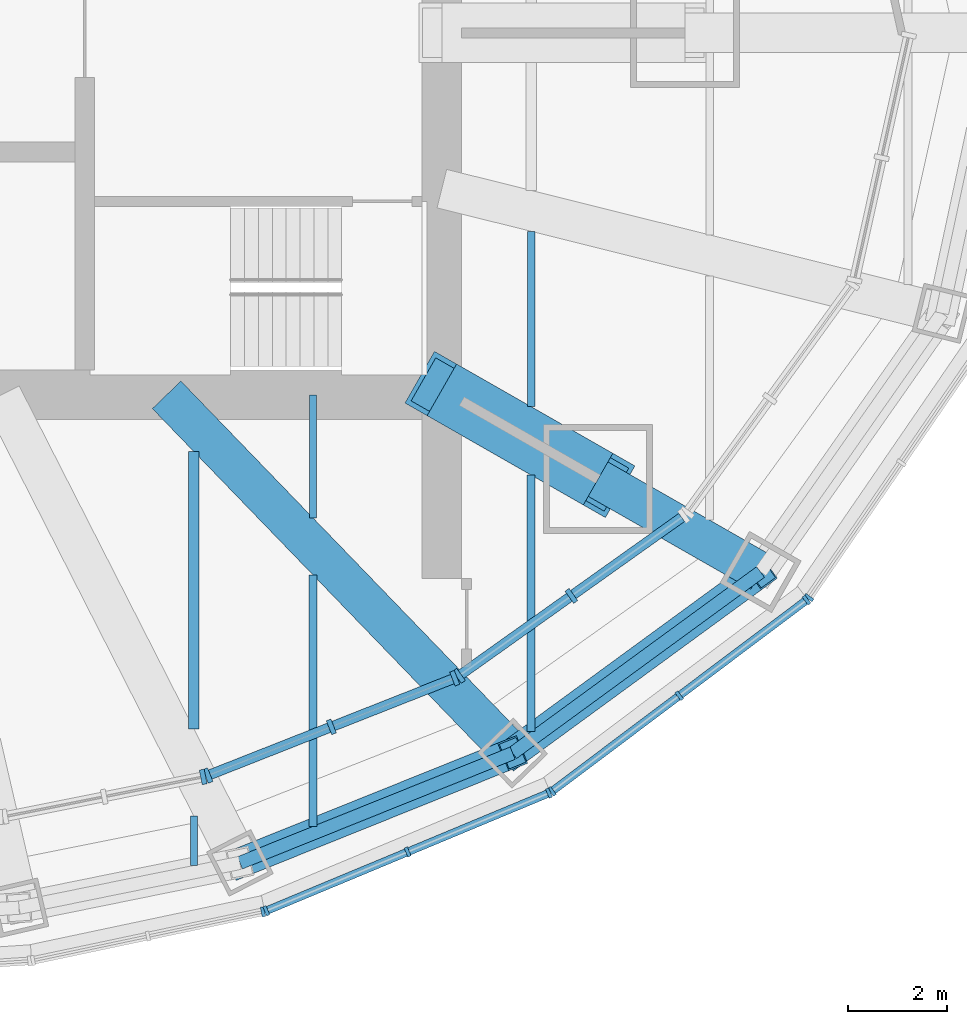
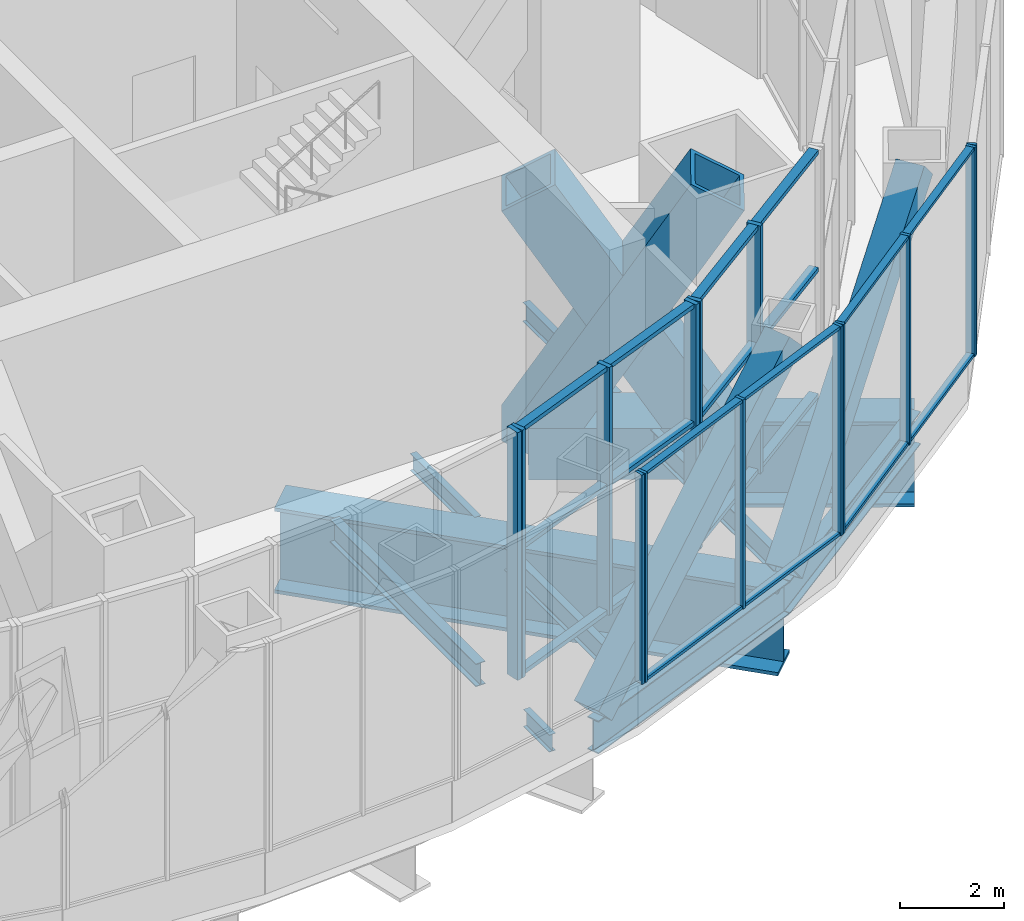
# One storey, part 7 of 21: 38 members, 11 beams, 7 elements without a shape of their own.
"""IFC4 building model written with IfcOpenShell, lengths in metres."""

from ifc_helpers import new_model, si_unit, direction, frame, origin, origin_2d, place, context, subcontext, project, spatial, rectangle, hollow_rectangle, i_section, extrude, material, material_profile, profile_set, type_object, element, aggregate, save


model = new_model("IFC4")

# Units and contexts
model_context = context("Model", 3, precision=1e-05, world=origin(), true_north=direction((0.0, 1.0)))
body_context = subcontext(model_context, "Body", "Model", "MODEL_VIEW")
ifc_project = project(units=[si_unit("LENGTHUNIT", "METRE"), si_unit("AREAUNIT", "SQUARE_METRE"), si_unit("VOLUMEUNIT", "CUBIC_METRE"), si_unit("PLANEANGLEUNIT", "RADIAN"), si_unit("MASSUNIT", "GRAM", prefix="KILO")], contexts=[model_context])

# Site, building, storey
site_placement = place(None, origin())
site = spatial("IfcSite", under=ifc_project, at=site_placement, CompositionType="ELEMENT")
building_placement = place(site_placement, origin())
building = spatial("IfcBuilding", under=site, at=building_placement, Name="Lantaw Convention Tower", CompositionType="ELEMENT")
storey_placement = place(building_placement, frame((0.0, 0.0, 284.39990234375)))
storey = spatial("IfcBuildingStorey", under=building, at=storey_placement, Name="L66", CompositionType="ELEMENT", Elevation=284.39990234375)

# Beams
ifc_material_1 = material(Name="Steel ASTM A992", Category="steel")
ifc_material_profile_1 = material_profile(ifc_material_1, i_section(OverallWidth=0.2666015625, OverallDepth=0.76953125, WebThickness=0.015625, FlangeThickness=0.025390625, FilletRadius=0.0126953125, at=origin_2d()), Name="W30X132")
ifc_profile_set_1 = profile_set([ifc_material_profile_1], Name="Steel ASTM A992")
beam_type_1 = type_object("IfcBeamType", Name="Beam E W30X132", PredefinedType="SPANDREL", material=ifc_profile_set_1)
beam_1_placement = place(storey_placement, frame((8.5283203125, -16.73779296875, -0.584716796875), z_axis=(0.927779110974, 0.373129898615, 0.0), x_axis=(-0.373129898615, 0.927779110974, 0.0)))
element("IfcBeam", 1, at=beam_1_placement, inside=storey, type_object=beam_type_1, Name="Edge beam 21", PredefinedType="SPANDREL", context=body_context, shape_type="SweptSolid", body=[
    extrude(i_section(OverallWidth=0.2666015625, OverallDepth=0.76953125, WebThickness=0.015625, FlangeThickness=0.025390625, FilletRadius=0.0126953125, at=origin_2d()), origin(), (0.0, 0.0, 1.0), 5.92724609375),
])
beam_2_placement = place(storey_placement, frame((14.027587890625, -14.526123046875, -0.584716796875), z_axis=(0.807371616826, 0.59004328006, 0.0), x_axis=(-0.59004328006, 0.807371616826, 0.0)))
element("IfcBeam", 2, at=beam_2_placement, inside=storey, type_object=beam_type_1, Name="Edge beam 22", PredefinedType="SPANDREL", context=body_context, shape_type="SweptSolid", body=[
    extrude(i_section(OverallWidth=0.2666015625, OverallDepth=0.76953125, WebThickness=0.015625, FlangeThickness=0.025390625, FilletRadius=0.0126953125, at=origin_2d()), origin(), (0.0, 0.0, 1.0), 6.192138671875),
])
ifc_material_2 = material(Name="Steel ASTM A572 Grade 50", Category="steel")
ifc_material_profile_2 = material_profile(ifc_material_2, i_section(OverallWidth=0.800048828125, OverallDepth=2.0, WebThickness=0.030029296875, FlangeThickness=0.080078125, at=origin_2d()), Name="PG2000X800X30X80")
ifc_profile_set_2 = profile_set([ifc_material_profile_2], Name="Steel ASTM A572 Grade 50")
beam_type_2 = type_object("IfcBeamType", Name="Beam HG PG2000X800X30X80", PredefinedType="BEAM", material=ifc_profile_set_2)
beam_3_placement = place(storey_placement, frame((7.049560546875, -7.300048828125, -1.199951171875), z_axis=(0.694652631285, -0.71934534255, 0.0), x_axis=(0.71934534255, 0.694652631285, 0.0)))
element("IfcBeam", 3, at=beam_3_placement, inside=storey, type_object=beam_type_2, Name="Floor girder on ray 22", PredefinedType="BEAM", context=body_context, shape_type="SweptSolid", body=[
    extrude(i_section(OverallWidth=0.800048828125, OverallDepth=2.0, WebThickness=0.030029296875, FlangeThickness=0.080078125, at=origin_2d()), origin(), (0.0, 0.0, 1.0), 10.04541015625),
])
beam_4_placement = place(storey_placement, frame((15.75, -9.0, -1.199951171875), z_axis=(0.868235180478, -0.496152870978, 0.0), x_axis=(0.496152870978, 0.868235180478, 0.0)))
element("IfcBeam", 4, at=beam_4_placement, inside=storey, type_object=beam_type_2, Name="Floor girder on ray 23", PredefinedType="BEAM", context=body_context, shape_type="SweptSolid", body=[
    extrude(i_section(OverallWidth=0.800048828125, OverallDepth=2.0, WebThickness=0.030029296875, FlangeThickness=0.080078125, at=origin_2d()), origin(), (0.0, 0.0, 1.0), 3.774169921875),
])
ifc_material_profile_3 = material_profile(ifc_material_1, i_section(OverallWidth=0.140380859375, OverallDepth=0.40380859375, WebThickness=0.007080078125, FlangeThickness=0.01123046875, FilletRadius=0.01025390625, at=origin_2d()), Name="W16X31")
ifc_profile_set_3 = profile_set([ifc_material_profile_3], Name="Steel ASTM A992")
beam_type_3 = type_object("IfcBeamType", Name="Beam J W16X31", PredefinedType="JOIST", material=ifc_profile_set_3)
beam_5_placement = place(storey_placement, frame((7.60009765625, -16.790283203125, -0.40185546875), z_axis=(0.0, 1.0, 0.0), x_axis=(-1.0, 0.0, 0.0)))
element("IfcBeam", 5, at=beam_5_placement, inside=storey, type_object=beam_type_3, Name="Floor joist", PredefinedType="JOIST", context=body_context, shape_type="SweptSolid", body=[
    extrude(i_section(OverallWidth=0.140380859375, OverallDepth=0.40380859375, WebThickness=0.007080078125, FlangeThickness=0.01123046875, FilletRadius=0.01025390625, at=origin_2d()), origin(), (0.0, 0.0, 1.0), 0.993408203125),
])
beam_6_placement = place(storey_placement, frame((10.0, -9.779541015625, -0.40185546875), z_axis=(0.0, 1.0, 0.0), x_axis=(-1.0, 0.0, 0.0)))
element("IfcBeam", 6, at=beam_6_placement, inside=storey, type_object=beam_type_3, Name="Floor joist", PredefinedType="JOIST", context=body_context, shape_type="SweptSolid", body=[
    extrude(i_section(OverallWidth=0.140380859375, OverallDepth=0.40380859375, WebThickness=0.007080078125, FlangeThickness=0.01123046875, FilletRadius=0.01025390625, at=origin_2d()), origin(), (0.0, 0.0, 1.0), 2.4794921875),
])
ifc_material_profile_4 = material_profile(ifc_material_1, i_section(OverallWidth=0.15234375, OverallDepth=0.449462890625, WebThickness=0.007568359375, FlangeThickness=0.0107421875, FilletRadius=0.01025390625, at=origin_2d()), Name="W18X35")
ifc_profile_set_4 = profile_set([ifc_material_profile_4], Name="Steel ASTM A992")
beam_type_4 = type_object("IfcBeamType", Name="Beam J W18X35", PredefinedType="JOIST", material=ifc_profile_set_4)
beam_7_placement = place(storey_placement, frame((14.39990234375, -7.53759765625, -0.4248046875), z_axis=(0.0, 1.0, 0.0), x_axis=(-1.0, 0.0, 0.0)))
element("IfcBeam", 7, at=beam_7_placement, inside=storey, type_object=beam_type_4, Name="Floor joist", PredefinedType="JOIST", context=body_context, shape_type="SweptSolid", body=[
    extrude(i_section(OverallWidth=0.15234375, OverallDepth=0.449462890625, WebThickness=0.007568359375, FlangeThickness=0.0107421875, FilletRadius=0.01025390625, at=origin_2d()), origin(), (0.0, 0.0, 1.0), 3.534912109375),
])
ifc_material_profile_5 = material_profile(ifc_material_1, i_section(OverallWidth=0.1650390625, OverallDepth=0.52587890625, WebThickness=0.0087890625, FlangeThickness=0.011474609375, FilletRadius=0.0126953125, at=origin_2d()), Name="W21X44")
ifc_profile_set_5 = profile_set([ifc_material_profile_5], Name="Steel ASTM A992")
beam_type_5 = type_object("IfcBeamType", Name="Beam J W21X44", PredefinedType="JOIST", material=ifc_profile_set_5)
beam_8_placement = place(storey_placement, frame((10.0, -16.002197265625, -0.462890625), z_axis=(0.0, 1.0, 0.0), x_axis=(-1.0, 0.0, 0.0)))
element("IfcBeam", 8, at=beam_8_placement, inside=storey, type_object=beam_type_5, Name="Floor joist", PredefinedType="JOIST", context=body_context, shape_type="SweptSolid", body=[
    extrude(i_section(OverallWidth=0.1650390625, OverallDepth=0.52587890625, WebThickness=0.0087890625, FlangeThickness=0.011474609375, FilletRadius=0.0126953125, at=origin_2d()), origin(), (0.0, 0.0, 1.0), 5.071044921875),
])
ifc_material_profile_6 = material_profile(ifc_material_1, i_section(OverallWidth=0.165771484375, OverallDepth=0.5283203125, WebThickness=0.009765625, FlangeThickness=0.013671875, FilletRadius=0.012939453125, at=origin_2d()), Name="W21X50")
ifc_profile_set_6 = profile_set([ifc_material_profile_6], Name="Steel ASTM A992")
beam_type_6 = type_object("IfcBeamType", Name="Beam J W21X50", PredefinedType="JOIST", material=ifc_profile_set_6)
beam_9_placement = place(storey_placement, frame((14.39990234375, -14.0888671875, -0.464111328125), z_axis=(0.0, 1.0, 0.0), x_axis=(-1.0, 0.0, 0.0)))
element("IfcBeam", 9, at=beam_9_placement, inside=storey, type_object=beam_type_6, Name="Floor joist", PredefinedType="JOIST", context=body_context, shape_type="SweptSolid", body=[
    extrude(i_section(OverallWidth=0.165771484375, OverallDepth=0.5283203125, WebThickness=0.009765625, FlangeThickness=0.013671875, FilletRadius=0.012939453125, at=origin_2d()), origin(), (0.0, 0.0, 1.0), 5.169189453125),
])
ifc_material_profile_7 = material_profile(ifc_material_1, i_section(OverallWidth=0.209228515625, OverallDepth=0.533447265625, WebThickness=0.01025390625, FlangeThickness=0.015625, FilletRadius=0.012939453125, at=origin_2d()), Name="W21X62")
ifc_profile_set_7 = profile_set([ifc_material_profile_7], Name="Steel ASTM A992")
beam_type_7 = type_object("IfcBeamType", Name="Beam J W21X62", PredefinedType="JOIST", material=ifc_profile_set_7)
beam_10_placement = place(storey_placement, frame((7.60009765625, -14.03466796875, -0.466552734375), z_axis=(0.0, 1.0, 0.0), x_axis=(-1.0, 0.0, 0.0)))
element("IfcBeam", 10, at=beam_10_placement, inside=storey, type_object=beam_type_7, Name="Floor joist", PredefinedType="JOIST", context=body_context, shape_type="SweptSolid", body=[
    extrude(i_section(OverallWidth=0.209228515625, OverallDepth=0.533447265625, WebThickness=0.01025390625, FlangeThickness=0.015625, FilletRadius=0.012939453125, at=origin_2d()), origin(), (0.0, 0.0, 1.0), 5.5888671875),
])
ifc_material_3 = material(Name="Steel EN 10025-3 S460N", Category="steel")
ifc_material_profile_8 = material_profile(ifc_material_3, hollow_rectangle(XDim=1.199951171875, YDim=1.199951171875, WallThickness=0.10009765625, at=origin_2d()), Name="BOX1200X100")
ifc_profile_set_8 = profile_set([ifc_material_profile_8], Name="Steel EN 10025-3 S460N")
beam_type_8 = type_object("IfcBeamType", Name="Beam OC BOX1200X100", PredefinedType="BEAM", material=ifc_profile_set_8)
beam_11_placement = place(storey_placement, frame((12.60009765625, -7.199951171875, -0.7998046875), z_axis=(0.868230718294, -0.496160679428, 0.0), x_axis=(0.496160679428, 0.868230718294, 0.0)))
element("IfcBeam", 11, at=beam_11_placement, inside=storey, type_object=beam_type_8, Name="Outrigger chord on ray 23", PredefinedType="BEAM", context=body_context, shape_type="SweptSolid", body=[
    extrude(hollow_rectangle(XDim=1.199951171875, YDim=1.199951171875, WallThickness=0.10009765625, at=origin_2d()), origin(), (0.0, 0.0, 1.0), 3.6279296875),
])

# Curtain wall, members
ifc_material_4 = material(Name="Aluminium framed curtain wall", Category="aluminium")
curtain_wall_type_1 = type_object("IfcCurtainWallType", Name="Lantern corner louvre curtain wall, pale aluminium", PredefinedType="USERDEFINED", material=ifc_material_4)
curtain_wall_1_placement = place(storey_placement, origin())
curtain_wall_1 = element("IfcCurtainWall", 12, at=curtain_wall_1_placement, inside=storey, type_object=curtain_wall_type_1, Name="Lantern corner louvre curtain wall, pale aluminium L66", ObjectType="LOUVRE WALL", PredefinedType="USERDEFINED")
ifc_material_5 = material(Name="Aluminium 6063-T6", Category="aluminium")
ifc_material_profile_9 = material_profile(ifc_material_5, rectangle(XDim=0.300048828125, YDim=0.10009765625, at=origin_2d()), Name="CW-LC mullion 100x300")
ifc_profile_set_9 = profile_set([ifc_material_profile_9], Name="Aluminium 6063-T6")
member_type_1 = type_object("IfcMemberType", Name="CW-LC mullion 100x300", PredefinedType="MULLION", material=ifc_profile_set_9)
member_1_placement = place(storey_placement, frame((12.946533203125, -12.966552734375, 0.0), z_axis=(0.0, 0.0, 1.0), x_axis=(-0.579683901346, 0.814841441337, 0.0)))
member_1 = element("IfcMember", 13, at=member_1_placement, type_object=member_type_1, Name="CW-LC mullion 1", PredefinedType="MULLION", context=body_context, shape_type="SweptSolid", body=[
    extrude(rectangle(XDim=0.300048828125, YDim=0.10009765625, at=origin_2d()), origin(), (0.0, 0.0, 1.0), 5.800048828125),
])
member_2_placement = place(storey_placement, frame((15.212158203125, -11.354736328125, 0.0), z_axis=(0.0, 0.0, 1.0), x_axis=(-0.579683901346, 0.814841441337, 0.0)))
member_2 = element("IfcMember", 14, at=member_2_placement, type_object=member_type_1, Name="CW-LC mullion 2", PredefinedType="MULLION", context=body_context, shape_type="SweptSolid", body=[
    extrude(rectangle(XDim=0.300048828125, YDim=0.10009765625, at=origin_2d()), origin(), (0.0, 0.0, 1.0), 5.800048828125),
])
ifc_material_profile_10 = material_profile(ifc_material_5, rectangle(XDim=0.199951171875, YDim=0.10009765625, at=origin_2d()), Name="CW-LC transom 100x200")
ifc_profile_set_10 = profile_set([ifc_material_profile_10], Name="Aluminium 6063-T6")
member_type_2 = type_object("IfcMemberType", Name="CW-LC transom 100x200", PredefinedType="USERDEFINED", material=ifc_profile_set_10)
member_3_placement = place(storey_placement, frame((12.9873046875, -12.9375, 0.050048828125), z_axis=(0.814852067311, 0.579668964495, 0.0), x_axis=(-0.579668964495, 0.814852067311, 0.0)))
member_3 = element("IfcMember", 15, at=member_3_placement, type_object=member_type_2, Name="CW-LC transom 1.1", ObjectType="TRANSOM", PredefinedType="USERDEFINED", context=body_context, shape_type="SweptSolid", body=[
    extrude(rectangle(XDim=0.199951171875, YDim=0.10009765625, at=origin_2d()), origin(), (0.0, 0.0, 1.0), 2.680419921875),
])
member_4_placement = place(storey_placement, frame((12.9873046875, -12.9375, 3.0), z_axis=(0.814852067311, 0.579668964495, 0.0), x_axis=(-0.579668964495, 0.814852067311, 0.0)))
member_4 = element("IfcMember", 16, at=member_4_placement, type_object=member_type_2, Name="CW-LC transom 1.2", ObjectType="TRANSOM", PredefinedType="USERDEFINED", context=body_context, shape_type="SweptSolid", body=[
    extrude(rectangle(XDim=0.199951171875, YDim=0.10009765625, at=origin_2d()), origin(), (0.0, 0.0, 1.0), 2.680419921875),
])
member_5_placement = place(storey_placement, frame((12.9873046875, -12.9375, 5.75), z_axis=(0.814852067311, 0.579668964495, 0.0), x_axis=(-0.579668964495, 0.814852067311, 0.0)))
member_5 = element("IfcMember", 17, at=member_5_placement, type_object=member_type_2, Name="CW-LC transom 1.3", ObjectType="TRANSOM", PredefinedType="USERDEFINED", context=body_context, shape_type="SweptSolid", body=[
    extrude(rectangle(XDim=0.199951171875, YDim=0.10009765625, at=origin_2d()), origin(), (0.0, 0.0, 1.0), 2.680419921875),
])
member_6_placement = place(storey_placement, frame((15.2529296875, -11.325927734375, 0.050048828125), z_axis=(0.814809043546, 0.579729439098, 0.0), x_axis=(-0.579729439098, 0.814809043546, 0.0)))
member_6 = element("IfcMember", 18, at=member_6_placement, type_object=member_type_2, Name="CW-LC transom 2.1", ObjectType="TRANSOM", PredefinedType="USERDEFINED", context=body_context, shape_type="SweptSolid", body=[
    extrude(rectangle(XDim=0.199951171875, YDim=0.10009765625, at=origin_2d()), origin(), (0.0, 0.0, 1.0), 2.680419921875),
])
member_7_placement = place(storey_placement, frame((15.2529296875, -11.325927734375, 3.0), z_axis=(0.814809043546, 0.579729439098, 0.0), x_axis=(-0.579729439098, 0.814809043546, 0.0)))
member_7 = element("IfcMember", 19, at=member_7_placement, type_object=member_type_2, Name="CW-LC transom 2.2", ObjectType="TRANSOM", PredefinedType="USERDEFINED", context=body_context, shape_type="SweptSolid", body=[
    extrude(rectangle(XDim=0.199951171875, YDim=0.10009765625, at=origin_2d()), origin(), (0.0, 0.0, 1.0), 2.680419921875),
])
member_8_placement = place(storey_placement, frame((15.2529296875, -11.325927734375, 5.75), z_axis=(0.814809043546, 0.579729439098, 0.0), x_axis=(-0.579729439098, 0.814809043546, 0.0)))
member_8 = element("IfcMember", 20, at=member_8_placement, type_object=member_type_2, Name="CW-LC transom 2.3", ObjectType="TRANSOM", PredefinedType="USERDEFINED", context=body_context, shape_type="SweptSolid", body=[
    extrude(rectangle(XDim=0.199951171875, YDim=0.10009765625, at=origin_2d()), origin(), (0.0, 0.0, 1.0), 2.680419921875),
])
aggregate(curtain_wall_1, [member_1, member_2, member_3, member_4, member_5, member_6, member_7, member_8])

# Curtain wall, member
curtain_wall_type_2 = type_object("IfcCurtainWallType", Name="LANTERN glazing curtain wall, pale aluminium", PredefinedType="USERDEFINED", material=ifc_material_4)
curtain_wall_2_placement = place(storey_placement, origin())
curtain_wall_2 = element("IfcCurtainWall", 21, at=curtain_wall_2_placement, inside=storey, type_object=curtain_wall_type_2, Name="LANTERN glazing curtain wall, pale aluminium L66", ObjectType="LANTERN GLAZING", PredefinedType="USERDEFINED")
ifc_material_profile_11 = material_profile(ifc_material_5, rectangle(XDim=0.300048828125, YDim=0.10009765625, at=origin_2d()), Name="CW-LN mullion 100x300")
ifc_profile_set_11 = profile_set([ifc_material_profile_11], Name="Aluminium 6063-T6")
member_type_3 = type_object("IfcMemberType", Name="CW-LN mullion 100x300", PredefinedType="MULLION", material=ifc_profile_set_11)
member_9_placement = place(storey_placement, frame((7.787353515625, -15.004150390625, 0.0), z_axis=(0.0, 0.0, 1.0), x_axis=(-0.196367228305, 0.980530423622, 0.0)))
member_9 = element("IfcMember", 22, at=member_9_placement, type_object=member_type_3, Name="CW-LN mullion 3", PredefinedType="MULLION", context=body_context, shape_type="SweptSolid", body=[
    extrude(rectangle(XDim=0.300048828125, YDim=0.10009765625, at=origin_2d()), origin(), (0.0, 0.0, 1.0), 5.800048828125),
])
aggregate(curtain_wall_2, [member_9])

# Curtain wall, members
curtain_wall_3_placement = place(storey_placement, origin())
curtain_wall_3 = element("IfcCurtainWall", 23, at=curtain_wall_3_placement, inside=storey, type_object=curtain_wall_type_2, Name="LANTERN glazing curtain wall, pale aluminium L66", ObjectType="LANTERN GLAZING", PredefinedType="USERDEFINED")
member_10_placement = place(storey_placement, frame((7.883056640625, -14.97607421875, 0.0), z_axis=(0.0, 0.0, 1.0), x_axis=(-0.366801957358, 0.930299050885, 0.0)))
member_10 = element("IfcMember", 24, at=member_10_placement, type_object=member_type_3, Name="CW-LN mullion 1", PredefinedType="MULLION", context=body_context, shape_type="SweptSolid", body=[
    extrude(rectangle(XDim=0.300048828125, YDim=0.10009765625, at=origin_2d()), origin(), (0.0, 0.0, 1.0), 5.800048828125),
])
member_11_placement = place(storey_placement, frame((10.37109375, -13.994873046875, 0.0), z_axis=(0.0, 0.0, 1.0), x_axis=(-0.366801957358, 0.930299050885, 0.0)))
member_11 = element("IfcMember", 25, at=member_11_placement, type_object=member_type_3, Name="CW-LN mullion 2", PredefinedType="MULLION", context=body_context, shape_type="SweptSolid", body=[
    extrude(rectangle(XDim=0.300048828125, YDim=0.10009765625, at=origin_2d()), origin(), (0.0, 0.0, 1.0), 5.800048828125),
])
member_12_placement = place(storey_placement, frame((12.859375, -13.013916015625, 0.0), z_axis=(0.0, 0.0, 1.0), x_axis=(-0.366801957358, 0.930299050885, 0.0)))
member_12 = element("IfcMember", 26, at=member_12_placement, type_object=member_type_3, Name="CW-LN mullion 3", PredefinedType="MULLION", context=body_context, shape_type="SweptSolid", body=[
    extrude(rectangle(XDim=0.300048828125, YDim=0.10009765625, at=origin_2d()), origin(), (0.0, 0.0, 1.0), 5.800048828125),
])
ifc_material_profile_12 = material_profile(ifc_material_5, rectangle(XDim=0.199951171875, YDim=0.10009765625, at=origin_2d()), Name="CW-LN transom 100x200")
ifc_profile_set_12 = profile_set([ifc_material_profile_12], Name="Aluminium 6063-T6")
member_type_4 = type_object("IfcMemberType", Name="CW-LN transom 100x200", PredefinedType="USERDEFINED", material=ifc_profile_set_12)
member_13_placement = place(storey_placement, frame((7.929443359375, -14.95751953125, 0.050048828125), z_axis=(0.930309390119, 0.366775733461, 0.0), x_axis=(-0.366775733461, 0.930309390119, 0.0)))
member_13 = element("IfcMember", 27, at=member_13_placement, type_object=member_type_4, Name="CW-LN transom 1.1", ObjectType="TRANSOM", PredefinedType="USERDEFINED", context=body_context, shape_type="SweptSolid", body=[
    extrude(rectangle(XDim=0.199951171875, YDim=0.10009765625, at=origin_2d()), origin(), (0.0, 0.0, 1.0), 2.57470703125),
])
member_14_placement = place(storey_placement, frame((7.929443359375, -14.95751953125, 3.0), z_axis=(0.930309390119, 0.366775733461, 0.0), x_axis=(-0.366775733461, 0.930309390119, 0.0)))
member_14 = element("IfcMember", 28, at=member_14_placement, type_object=member_type_4, Name="CW-LN transom 1.2", ObjectType="TRANSOM", PredefinedType="USERDEFINED", context=body_context, shape_type="SweptSolid", body=[
    extrude(rectangle(XDim=0.199951171875, YDim=0.10009765625, at=origin_2d()), origin(), (0.0, 0.0, 1.0), 2.57470703125),
])
member_15_placement = place(storey_placement, frame((7.929443359375, -14.95751953125, 5.75), z_axis=(0.930309390119, 0.366775733461, 0.0), x_axis=(-0.366775733461, 0.930309390119, 0.0)))
member_15 = element("IfcMember", 29, at=member_15_placement, type_object=member_type_4, Name="CW-LN transom 1.3", ObjectType="TRANSOM", PredefinedType="USERDEFINED", context=body_context, shape_type="SweptSolid", body=[
    extrude(rectangle(XDim=0.199951171875, YDim=0.10009765625, at=origin_2d()), origin(), (0.0, 0.0, 1.0), 2.57470703125),
])
member_16_placement = place(storey_placement, frame((10.417724609375, -13.9765625, 0.050048828125), z_axis=(0.930296632408, 0.366808091147, 0.0), x_axis=(-0.366808091147, 0.930296632408, 0.0)))
member_16 = element("IfcMember", 30, at=member_16_placement, type_object=member_type_4, Name="CW-LN transom 2.1", ObjectType="TRANSOM", PredefinedType="USERDEFINED", context=body_context, shape_type="SweptSolid", body=[
    extrude(rectangle(XDim=0.199951171875, YDim=0.10009765625, at=origin_2d()), origin(), (0.0, 0.0, 1.0), 2.574462890625),
])
member_17_placement = place(storey_placement, frame((10.417724609375, -13.9765625, 3.0), z_axis=(0.930296632408, 0.366808091147, 0.0), x_axis=(-0.366808091147, 0.930296632408, 0.0)))
member_17 = element("IfcMember", 31, at=member_17_placement, type_object=member_type_4, Name="CW-LN transom 2.2", ObjectType="TRANSOM", PredefinedType="USERDEFINED", context=body_context, shape_type="SweptSolid", body=[
    extrude(rectangle(XDim=0.199951171875, YDim=0.10009765625, at=origin_2d()), origin(), (0.0, 0.0, 1.0), 2.574462890625),
])
member_18_placement = place(storey_placement, frame((10.417724609375, -13.9765625, 5.75), z_axis=(0.930296632408, 0.366808091147, 0.0), x_axis=(-0.366808091147, 0.930296632408, 0.0)))
member_18 = element("IfcMember", 32, at=member_18_placement, type_object=member_type_4, Name="CW-LN transom 2.3", ObjectType="TRANSOM", PredefinedType="USERDEFINED", context=body_context, shape_type="SweptSolid", body=[
    extrude(rectangle(XDim=0.199951171875, YDim=0.10009765625, at=origin_2d()), origin(), (0.0, 0.0, 1.0), 2.574462890625),
])
aggregate(curtain_wall_3, [member_10, member_11, member_12, member_13, member_14, member_15, member_16, member_17, member_18])

# Curtain wall, member
curtain_wall_type_3 = type_object("IfcCurtainWallType", Name="Plant floor louvre wall, pale aluminium", PredefinedType="USERDEFINED", material=ifc_material_4)
curtain_wall_4_placement = place(storey_placement, origin())
curtain_wall_4 = element("IfcCurtainWall", 33, at=curtain_wall_4_placement, inside=storey, type_object=curtain_wall_type_3, Name="Plant floor louvre wall, pale aluminium L66", ObjectType="LOUVRE WALL", PredefinedType="USERDEFINED")
ifc_material_profile_13 = material_profile(ifc_material_5, rectangle(XDim=0.199951171875, YDim=0.070068359375, at=origin_2d()), Name="CW-LV mullion 70x200")
ifc_profile_set_13 = profile_set([ifc_material_profile_13], Name="Aluminium 6063-T6")
member_type_5 = type_object("IfcMemberType", Name="CW-LV mullion 70x200", PredefinedType="MULLION", material=ifc_profile_set_13)
member_19_placement = place(storey_placement, frame((8.993408203125, -17.72509765625, 1.10009765625), z_axis=(0.0, 0.0, 1.0), x_axis=(-0.207039911975, 0.978332497083, 0.0)))
member_19 = element("IfcMember", 34, at=member_19_placement, type_object=member_type_5, Name="CW-LV mullion 3", PredefinedType="MULLION", context=body_context, shape_type="SweptSolid", body=[
    extrude(rectangle(XDim=0.199951171875, YDim=0.070068359375, at=origin_2d()), origin(), (0.0, 0.0, 1.0), 4.89990234375),
])
aggregate(curtain_wall_4, [member_19])

# Curtain wall, members
curtain_wall_5_placement = place(storey_placement, origin())
curtain_wall_5 = element("IfcCurtainWall", 35, at=curtain_wall_5_placement, inside=storey, type_object=curtain_wall_type_3, Name="Plant floor louvre wall, pale aluminium L66", ObjectType="LOUVRE WALL", PredefinedType="USERDEFINED")
member_20_placement = place(storey_placement, frame((9.06005859375, -17.70458984375, 1.10009765625), z_axis=(0.0, 0.0, 1.0), x_axis=(-0.384459697924, 0.923141777124, 0.0)))
member_20 = element("IfcMember", 36, at=member_20_placement, type_object=member_type_5, Name="CW-LV mullion 1", PredefinedType="MULLION", context=body_context, shape_type="SweptSolid", body=[
    extrude(rectangle(XDim=0.199951171875, YDim=0.070068359375, at=origin_2d()), origin(), (0.0, 0.0, 1.0), 4.89990234375),
])
member_21_placement = place(storey_placement, frame((11.90966796875, -16.517578125, 1.10009765625), z_axis=(0.0, 0.0, 1.0), x_axis=(-0.384459697924, 0.923141777124, 0.0)))
member_21 = element("IfcMember", 37, at=member_21_placement, type_object=member_type_5, Name="CW-LV mullion 2", PredefinedType="MULLION", context=body_context, shape_type="SweptSolid", body=[
    extrude(rectangle(XDim=0.199951171875, YDim=0.070068359375, at=origin_2d()), origin(), (0.0, 0.0, 1.0), 4.89990234375),
])
member_22_placement = place(storey_placement, frame((14.759521484375, -15.330810546875, 1.10009765625), z_axis=(0.0, 0.0, 1.0), x_axis=(-0.384459697924, 0.923141777124, 0.0)))
member_22 = element("IfcMember", 38, at=member_22_placement, type_object=member_type_5, Name="CW-LV mullion 3", PredefinedType="MULLION", context=body_context, shape_type="SweptSolid", body=[
    extrude(rectangle(XDim=0.199951171875, YDim=0.070068359375, at=origin_2d()), origin(), (0.0, 0.0, 1.0), 4.89990234375),
])

curtain_wall_6_placement = place(storey_placement, origin())
curtain_wall_6 = element("IfcCurtainWall", 39, at=curtain_wall_6_placement, inside=storey, type_object=curtain_wall_type_3, Name="Plant floor louvre wall, pale aluminium L66", ObjectType="LOUVRE WALL", PredefinedType="USERDEFINED")
member_23_placement = place(storey_placement, frame((14.81982421875, -15.29638671875, 1.10009765625), z_axis=(0.0, 0.0, 1.0), x_axis=(-0.600642756762, 0.799517528732, 0.0)))
member_23 = element("IfcMember", 40, at=member_23_placement, type_object=member_type_5, Name="CW-LV mullion 1", PredefinedType="MULLION", context=body_context, shape_type="SweptSolid", body=[
    extrude(rectangle(XDim=0.199951171875, YDim=0.070068359375, at=origin_2d()), origin(), (0.0, 0.0, 1.0), 4.89990234375),
])
member_24_placement = place(storey_placement, frame((17.386962890625, -13.367919921875, 1.10009765625), z_axis=(0.0, 0.0, 1.0), x_axis=(-0.600642756762, 0.799517528732, 0.0)))
member_24 = element("IfcMember", 41, at=member_24_placement, type_object=member_type_5, Name="CW-LV mullion 2", PredefinedType="MULLION", context=body_context, shape_type="SweptSolid", body=[
    extrude(rectangle(XDim=0.199951171875, YDim=0.070068359375, at=origin_2d()), origin(), (0.0, 0.0, 1.0), 4.89990234375),
])
member_25_placement = place(storey_placement, frame((19.953857421875, -11.439208984375, 1.10009765625), z_axis=(0.0, 0.0, 1.0), x_axis=(-0.600642756762, 0.799517528732, 0.0)))
member_25 = element("IfcMember", 42, at=member_25_placement, type_object=member_type_5, Name="CW-LV mullion 3", PredefinedType="MULLION", context=body_context, shape_type="SweptSolid", body=[
    extrude(rectangle(XDim=0.199951171875, YDim=0.070068359375, at=origin_2d()), origin(), (0.0, 0.0, 1.0), 4.89990234375),
])

# Curtain wall, member
curtain_wall_7_placement = place(storey_placement, origin())
curtain_wall_7 = element("IfcCurtainWall", 43, at=curtain_wall_7_placement, inside=storey, type_object=curtain_wall_type_3, Name="Plant floor louvre wall, pale aluminium L66", ObjectType="LOUVRE WALL", PredefinedType="USERDEFINED")
member_26_placement = place(storey_placement, frame((20.001708984375, -11.389404296875, 1.10009765625), z_axis=(0.0, 0.0, 1.0), x_axis=(-0.824449977189, 0.565934832921, 0.0)))
member_26 = element("IfcMember", 44, at=member_26_placement, type_object=member_type_5, Name="CW-LV mullion 1", PredefinedType="MULLION", context=body_context, shape_type="SweptSolid", body=[
    extrude(rectangle(XDim=0.199951171875, YDim=0.070068359375, at=origin_2d()), origin(), (0.0, 0.0, 1.0), 4.89990234375),
])
aggregate(curtain_wall_7, [member_26])

# Member
ifc_material_profile_14 = material_profile(ifc_material_5, rectangle(XDim=0.159912109375, YDim=0.070068359375, at=origin_2d()), Name="CW-LV transom 70x160")
ifc_profile_set_14 = profile_set([ifc_material_profile_14], Name="Aluminium 6063-T6")
member_type_6 = type_object("IfcMemberType", Name="CW-LV transom 70x160", PredefinedType="USERDEFINED", material=ifc_profile_set_14)
member_27_placement = place(storey_placement, frame((9.09228515625, -17.69091796875, 1.135009765625), z_axis=(0.923143943999, 0.384454494911, 0.0), x_axis=(-0.384454494911, 0.923143943999, 0.0)))
member_27 = element("IfcMember", 45, at=member_27_placement, type_object=member_type_6, Name="CW-LV transom 1.1", ObjectType="TRANSOM", PredefinedType="USERDEFINED", context=body_context, shape_type="SweptSolid", body=[
    extrude(rectangle(XDim=0.159912109375, YDim=0.070068359375, at=origin_2d()), origin(), (0.0, 0.0, 1.0), 3.01708984375),
])

member_28_placement = place(storey_placement, frame((9.09228515625, -17.69091796875, 5.965087890625), z_axis=(0.923143943999, 0.384454494911, 0.0), x_axis=(-0.384454494911, 0.923143943999, 0.0)))
member_28 = element("IfcMember", 46, at=member_28_placement, type_object=member_type_6, Name="CW-LV transom 1.2", ObjectType="TRANSOM", PredefinedType="USERDEFINED", context=body_context, shape_type="SweptSolid", body=[
    extrude(rectangle(XDim=0.159912109375, YDim=0.070068359375, at=origin_2d()), origin(), (0.0, 0.0, 1.0), 3.01708984375),
])

member_29_placement = place(storey_placement, frame((11.942138671875, -16.504150390625, 1.135009765625), z_axis=(0.923143943999, 0.384454494911, 0.0), x_axis=(-0.384454494911, 0.923143943999, 0.0)))
member_29 = element("IfcMember", 47, at=member_29_placement, type_object=member_type_6, Name="CW-LV transom 2.1", ObjectType="TRANSOM", PredefinedType="USERDEFINED", context=body_context, shape_type="SweptSolid", body=[
    extrude(rectangle(XDim=0.159912109375, YDim=0.070068359375, at=origin_2d()), origin(), (0.0, 0.0, 1.0), 3.01708984375),
])

member_30_placement = place(storey_placement, frame((11.942138671875, -16.504150390625, 5.965087890625), z_axis=(0.923143943999, 0.384454494911, 0.0), x_axis=(-0.384454494911, 0.923143943999, 0.0)))
member_30 = element("IfcMember", 48, at=member_30_placement, type_object=member_type_6, Name="CW-LV transom 2.2", ObjectType="TRANSOM", PredefinedType="USERDEFINED", context=body_context, shape_type="SweptSolid", body=[
    extrude(rectangle(XDim=0.159912109375, YDim=0.070068359375, at=origin_2d()), origin(), (0.0, 0.0, 1.0), 3.01708984375),
])

aggregate(curtain_wall_5, [member_20, member_21, member_22, member_27, member_28, member_29, member_30])

member_31_placement = place(storey_placement, frame((14.847900390625, -15.275390625, 1.135009765625), z_axis=(0.799505333284, 0.600658989819, 0.0), x_axis=(-0.600658989819, 0.799505333284, 0.0)))
member_31 = element("IfcMember", 49, at=member_31_placement, type_object=member_type_6, Name="CW-LV transom 1.1", ObjectType="TRANSOM", PredefinedType="USERDEFINED", context=body_context, shape_type="SweptSolid", body=[
    extrude(rectangle(XDim=0.159912109375, YDim=0.070068359375, at=origin_2d()), origin(), (0.0, 0.0, 1.0), 3.140625),
])

member_32_placement = place(storey_placement, frame((14.847900390625, -15.275390625, 5.965087890625), z_axis=(0.799505333284, 0.600658989819, 0.0), x_axis=(-0.600658989819, 0.799505333284, 0.0)))
member_32 = element("IfcMember", 50, at=member_32_placement, type_object=member_type_6, Name="CW-LV transom 1.2", ObjectType="TRANSOM", PredefinedType="USERDEFINED", context=body_context, shape_type="SweptSolid", body=[
    extrude(rectangle(XDim=0.159912109375, YDim=0.070068359375, at=origin_2d()), origin(), (0.0, 0.0, 1.0), 3.140625),
])

member_33_placement = place(storey_placement, frame((17.414794921875, -13.346923828125, 1.135009765625), z_axis=(0.799496049611, 0.600671346626, 0.0), x_axis=(-0.600671346626, 0.799496049611, 0.0)))
member_33 = element("IfcMember", 51, at=member_33_placement, type_object=member_type_6, Name="CW-LV transom 2.1", ObjectType="TRANSOM", PredefinedType="USERDEFINED", context=body_context, shape_type="SweptSolid", body=[
    extrude(rectangle(XDim=0.159912109375, YDim=0.070068359375, at=origin_2d()), origin(), (0.0, 0.0, 1.0), 3.14111328125),
])

member_34_placement = place(storey_placement, frame((17.414794921875, -13.346923828125, 5.965087890625), z_axis=(0.799496049611, 0.600671346626, 0.0), x_axis=(-0.600671346626, 0.799496049611, 0.0)))
member_34 = element("IfcMember", 52, at=member_34_placement, type_object=member_type_6, Name="CW-LV transom 2.2", ObjectType="TRANSOM", PredefinedType="USERDEFINED", context=body_context, shape_type="SweptSolid", body=[
    extrude(rectangle(XDim=0.159912109375, YDim=0.070068359375, at=origin_2d()), origin(), (0.0, 0.0, 1.0), 3.14111328125),
])

aggregate(curtain_wall_6, [member_23, member_24, member_25, member_31, member_32, member_33, member_34])

# Members
ifc_material_profile_15 = material_profile(ifc_material_2, hollow_rectangle(XDim=0.60009765625, YDim=0.60009765625, WallThickness=0.031982421875, at=origin_2d()), Name="BOX600X32")
ifc_profile_set_15 = profile_set([ifc_material_profile_15], Name="Steel ASTM A572 Grade 50")
member_type_7 = type_object("IfcMemberType", Name="Member CR BOX600X32", PredefinedType="BRACE", material=ifc_profile_set_15)
member_35_placement = place(storey_placement, frame((8.5283203125, -16.73779296875, -0.005859375), z_axis=(0.680097235143, 0.273518350862, 0.680187814131), x_axis=(-0.373129898615, 0.927779110974, 0.0)))
element("IfcMember", 53, at=member_35_placement, inside=storey, type_object=member_type_7, Name="Crown ring truss diagonal 21", PredefinedType="BRACE", context=body_context, shape_type="SweptSolid", body=[
    extrude(hollow_rectangle(XDim=0.60009765625, YDim=0.60009765625, WallThickness=0.031982421875, at=origin_2d()), origin(), (0.0, 0.0, 1.0), 8.0859375),
])
member_36_placement = place(storey_placement, frame((14.027587890625, -14.526123046875, -0.005859375), z_axis=(0.603631856816, 0.441146199993, 0.664092321646), x_axis=(-0.59004328006, 0.807371616826, 0.0)))
element("IfcMember", 54, at=member_36_placement, inside=storey, type_object=member_type_7, Name="Crown ring truss diagonal 22", PredefinedType="BRACE", context=body_context, shape_type="SweptSolid", body=[
    extrude(hollow_rectangle(XDim=0.60009765625, YDim=0.60009765625, WallThickness=0.031982421875, at=origin_2d()), origin(), (0.0, 0.0, 1.0), 8.281982421875),
])
ifc_material_profile_16 = material_profile(ifc_material_3, hollow_rectangle(XDim=1.199951171875, YDim=1.199951171875, WallThickness=0.10009765625, at=origin_2d()), Name="BOX1200X100")
ifc_profile_set_16 = profile_set([ifc_material_profile_16], Name="Steel EN 10025-3 S460N")
member_type_8 = type_object("IfcMemberType", Name="Member OT BOX1200X100", PredefinedType="BRACE", material=ifc_profile_set_16)
for number, where, z_axis, x_axis, name in (
    (55, (12.60009765625, -7.199951171875, -0.7998046875), (0.449243757312, -0.256725641192, 0.855728924175), (0.496160679428, 0.868230718294, 0.0), "Hat truss diagonal 23"),
    (56, (12.60009765625, -7.199951171875, 5.2001953125), (0.449243757312, -0.256725641192, -0.855728924175), (0.496160679428, 0.868230718294, 0.0), "Hat truss diagonal 23 (reverse)"),
):
    element("IfcMember", number, at=place(storey_placement, frame(where, z_axis=z_axis, x_axis=x_axis)), inside=storey, type_object=member_type_8, Name=name, PredefinedType="BRACE", context=body_context, shape_type="SweptSolid", body=[
        extrude(hollow_rectangle(XDim=1.199951171875, YDim=1.199951171875, WallThickness=0.10009765625, at=origin_2d()), origin(), (0.0, 0.0, 1.0), 7.011474609375),
    ])

save(model, "model.ifc")
